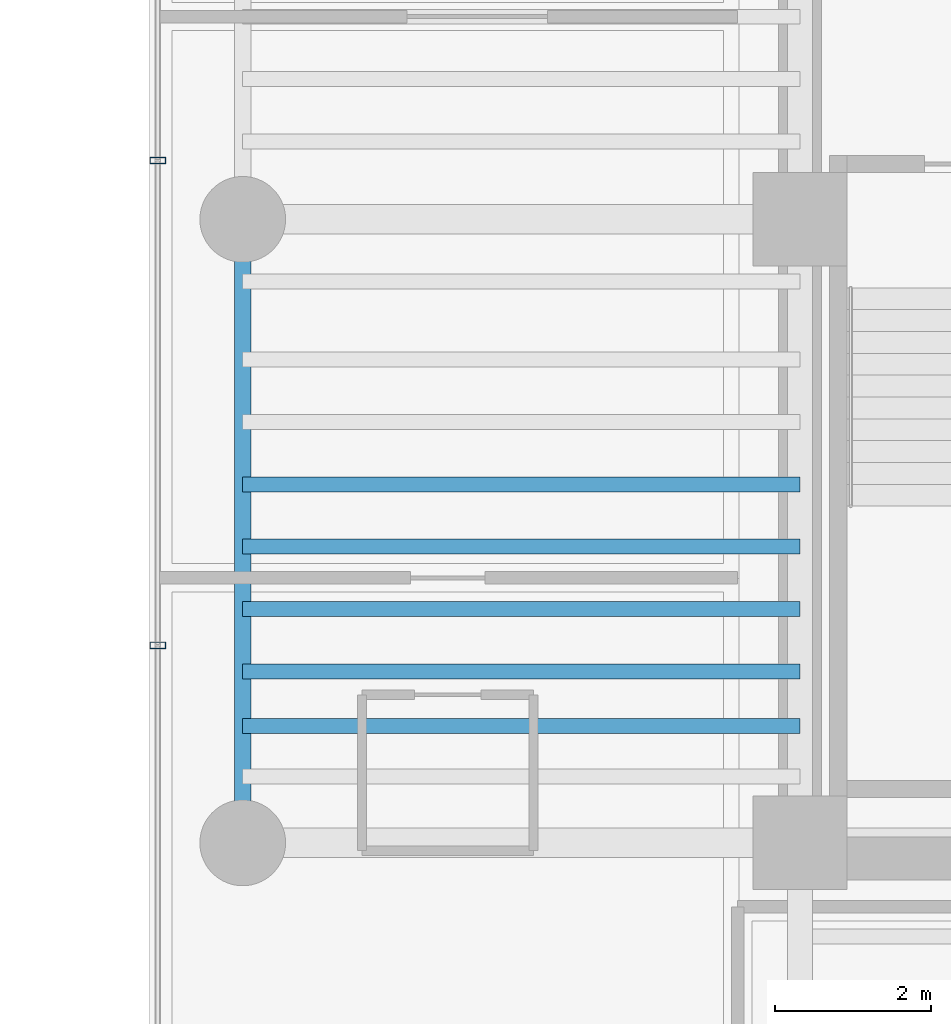
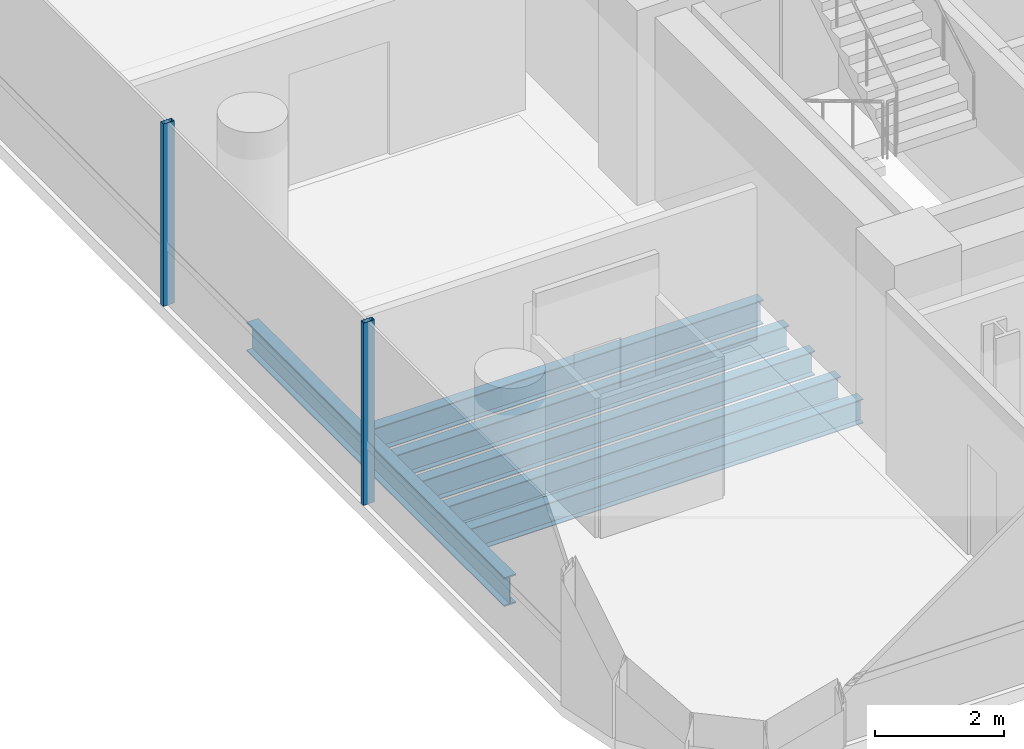
# One storey, part 4 of 33: 6 beams, 2 members, 1 element without a shape of its own.
"""IFC4 building model written with IfcOpenShell, lengths in metres."""

from ifc_helpers import new_model, si_unit, direction, frame, origin, origin_2d, place, context, subcontext, project, spatial, hollow_rectangle, i_section, extrude, source, transform, mapped, material, material_profile, profile_set, type_object, element, aggregate, save


model = new_model("IFC4")

# Units and contexts
model_context = context("Model", 3, precision=1e-05, world=origin(), true_north=direction((0.0, 1.0)))
body_context = subcontext(model_context, "Body", "Model", "MODEL_VIEW")
ifc_project = project(units=[si_unit("LENGTHUNIT", "METRE"), si_unit("AREAUNIT", "SQUARE_METRE"), si_unit("VOLUMEUNIT", "CUBIC_METRE"), si_unit("PLANEANGLEUNIT", "RADIAN"), si_unit("MASSUNIT", "GRAM", prefix="KILO")], contexts=[model_context])

# Site, building, storey
site_placement = place(None, origin())
site = spatial("IfcSite", under=ifc_project, at=site_placement, CompositionType="ELEMENT")
building_placement = place(site_placement, origin())
building = spatial("IfcBuilding", under=site, at=building_placement, Name="Valdorenza Pilgrim Sanctuary Tower", CompositionType="ELEMENT")
storey_placement = place(building_placement, frame((0.0, 0.0, 157.5)))
storey = spatial("IfcBuildingStorey", under=building, at=storey_placement, Name="L40", CompositionType="ELEMENT", Elevation=157.5)

# Beams
ifc_material_1 = material(Name="Steel ASTM A992 Grade 50", Category="steel")
ifc_material_profile_1 = material_profile(ifc_material_1, i_section(OverallWidth=0.214111328125, OverallDepth=0.549072265625, WebThickness=0.0146484375, FlangeThickness=0.023681640625, at=origin_2d()), Name="W21X93")
ifc_profile_set_1 = profile_set([ifc_material_profile_1], Name="Steel ASTM A992 Grade 50")
beam_type_1 = type_object("IfcBeamType", Name="STR-BM-SPN-W21A", PredefinedType="SPANDREL", material=ifc_profile_set_1)
shared_shape_1 = source(origin(), body_context, "Body", "SweptSolid", [
    extrude(i_section(OverallWidth=0.214111328125, OverallDepth=0.549072265625, WebThickness=0.0146484375, FlangeThickness=0.023681640625, at=origin_2d()), origin(), (0.0, 0.0, 1.0), 8.0),
])
beam_placement = place(storey_placement, frame((-29.800048828125, -10.60009765625, -0.514404296875), z_axis=(0.0, 1.0, 0.0), x_axis=(-1.0, 0.0, 0.0)))
element("IfcBeam", 1, at=beam_placement, inside=storey, type_object=beam_type_1, Name="L40 Spandrel Beam WA-W-S1M0", PredefinedType="SPANDREL", context=body_context, shape_type="MappedRepresentation", body=[
    mapped(shared_shape_1, transform((0.0, 0.0, 0.0), x_axis=(1.0, 0.0, 0.0), y_axis=(0.0, 1.0, 0.0), z_axis=(0.0, 0.0, 1.0), scale=1.0)),
])
ifc_material_profile_2 = material_profile(ifc_material_1, i_section(OverallWidth=0.19091796875, OverallDepth=0.45703125, WebThickness=0.009033203125, FlangeThickness=0.014404296875, at=origin_2d()), Name="W18X50")
ifc_profile_set_2 = profile_set([ifc_material_profile_2], Name="Steel ASTM A992 Grade 50")
beam_type_2 = type_object("IfcBeamType", Name="STR-BM-JST-W18B", PredefinedType="JOIST", material=ifc_profile_set_2)
shared_shape_2 = source(origin(), body_context, "Body", "SweptSolid", [
    extrude(i_section(OverallWidth=0.19091796875, OverallDepth=0.45703125, WebThickness=0.009033203125, FlangeThickness=0.014404296875, at=origin_2d()), origin(), (0.0, 0.0, 1.0), 7.150146484375),
])
for number, where, z_axis, x_axis, name in (
    (2, (-29.800048828125, -9.10009765625, -0.468505859375), (1.0, 0.0, 0.0), (0.0, 1.0, 0.0), "L40 Composite Floor Joist JST-WA-2"),
    (3, (-29.800048828125, -8.39990234375, -0.468505859375), (1.0, 0.0, 0.0), (0.0, 1.0, 0.0), "L40 Composite Floor Joist JST-WA-3"),
    (4, (-29.800048828125, -7.60009765625, -0.468505859375), (1.0, 0.0, 0.0), (0.0, 1.0, 0.0), "L40 Composite Floor Joist JST-WA-4"),
    (5, (-29.800048828125, -6.800048828125, -0.468505859375), (1.0, 0.0, 0.0), (0.0, 1.0, 0.0), "L40 Composite Floor Joist JST-WA-5"),
    (6, (-29.800048828125, -6.0, -0.468505859375), (1.0, 0.0, 0.0), (0.0, 1.0, 0.0), "L40 Composite Floor Joist JST-WA-6"),
):
    element("IfcBeam", number, at=place(storey_placement, frame(where, z_axis=z_axis, x_axis=x_axis)), inside=storey, type_object=beam_type_2, Name=name, PredefinedType="JOIST", context=body_context, shape_type="MappedRepresentation", body=[
        mapped(shared_shape_2, transform((0.0, 0.0, 0.0), x_axis=(1.0, 0.0, 0.0), y_axis=(0.0, 1.0, 0.0), z_axis=(0.0, 0.0, 1.0), scale=1.0)),
    ])

# Curtain wall, members
ifc_material_2 = material(Name="Curtain-wall IGU glazing", Category="glass")
curtain_wall_type = type_object("IfcCurtainWallType", Name="CW-SYS-02", PredefinedType="NOTDEFINED", material=ifc_material_2)
curtain_wall_placement = place(storey_placement, origin())
curtain_wall = element("IfcCurtainWall", 7, at=curtain_wall_placement, inside=storey, type_object=curtain_wall_type, Name="L40 Curtain Wall CW-L40-1-1S1", PredefinedType="NOTDEFINED")
ifc_material_3 = material(Name="Anodised aluminium AW-6060", Category="aluminium")
ifc_material_profile_3 = material_profile(ifc_material_3, hollow_rectangle(XDim=0.0849609375, YDim=0.199951171875, WallThickness=0.0048828125, at=origin_2d()), Name="ALU-M 200x85x5")
ifc_profile_set_3 = profile_set([ifc_material_profile_3], Name="Anodised aluminium AW-6060")
member_type = type_object("IfcMemberType", Name="CW-MUL-02", PredefinedType="MULLION", material=ifc_profile_set_3)
shared_shape_3 = source(origin(), body_context, "Body", "SweptSolid", [
    extrude(hollow_rectangle(XDim=0.0849609375, YDim=0.199951171875, WallThickness=0.0048828125, at=origin_2d()), origin(), (0.0, 0.0, 1.0), 3.4599609375),
])
member_1_placement = place(storey_placement, frame((-30.889892578125, -8.06689453125, 0.0), z_axis=(0.0, 0.0, 1.0), x_axis=(0.0, 1.0, 0.0)))
member_1 = element("IfcMember", 8, at=member_1_placement, type_object=member_type, Name="CW-L40-1-1S1 Mullion 2", PredefinedType="MULLION", context=body_context, shape_type="MappedRepresentation", body=[
    mapped(shared_shape_3, transform((0.0, 0.0, 0.0), x_axis=(1.0, 0.0, 0.0), y_axis=(0.0, 1.0, 0.0), z_axis=(0.0, 0.0, 1.0), scale=1.0)),
])
member_2_placement = place(storey_placement, frame((-30.889892578125, -1.844482421875, 0.0), z_axis=(0.0, 0.0, 1.0), x_axis=(0.0, 1.0, 0.0)))
member_2 = element("IfcMember", 9, at=member_2_placement, type_object=member_type, Name="CW-L40-1-1S1 Mullion 3", PredefinedType="MULLION", context=body_context, shape_type="MappedRepresentation", body=[
    mapped(shared_shape_3, transform((0.0, 0.0, 0.0), x_axis=(1.0, 0.0, 0.0), y_axis=(0.0, 1.0, 0.0), z_axis=(0.0, 0.0, 1.0), scale=1.0)),
])
aggregate(curtain_wall, [member_1, member_2])

save(model, "model.ifc")
